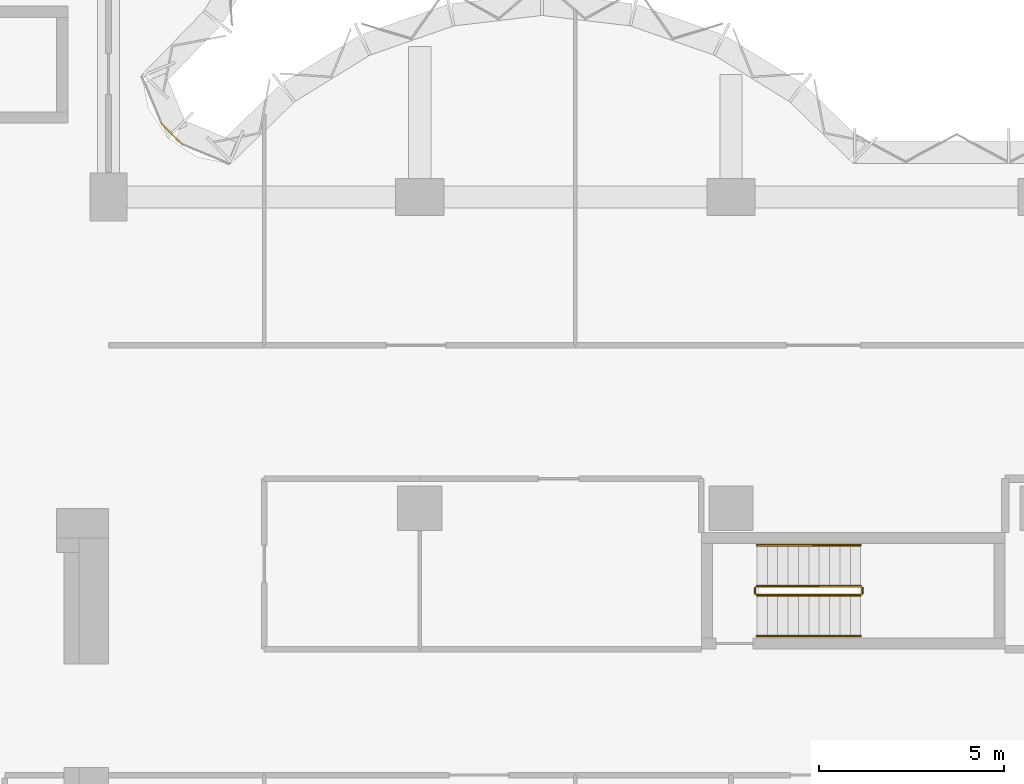
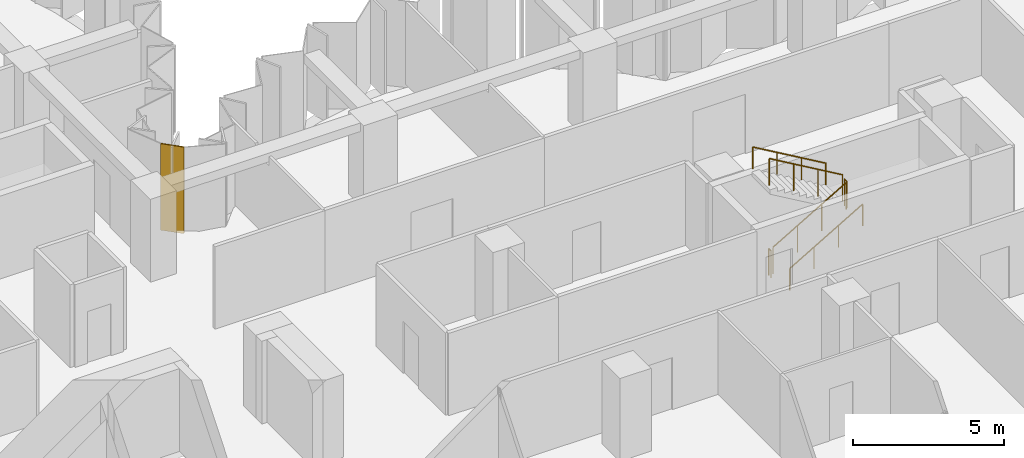
# One storey, part 13 of 13: 6 railings, 1 covering, 1 element without a shape of its own.
"""IFC4 building model written with IfcOpenShell, lengths in metres."""

from ifc_helpers import new_model, si_unit, direction, frame, origin, origin_2d, place, context, subcontext, project, spatial, polyline, circle, outline, extrude, material, layer, layer_set, type_object, element, aggregate, save


model = new_model("IFC4")

# Units and contexts
model_context = context("Model", 3, precision=1e-05, world=origin(), true_north=direction((0.0, 1.0)))
body_context = subcontext(model_context, "Body", "Model", "MODEL_VIEW")
ifc_project = project(units=[si_unit("LENGTHUNIT", "METRE"), si_unit("AREAUNIT", "SQUARE_METRE"), si_unit("VOLUMEUNIT", "CUBIC_METRE"), si_unit("PLANEANGLEUNIT", "RADIAN"), si_unit("MASSUNIT", "GRAM", prefix="KILO")], contexts=[model_context])

# Site, building, storey
site_placement = place(None, origin())
site = spatial("IfcSite", under=ifc_project, at=site_placement, CompositionType="ELEMENT")
building_placement = place(site_placement, origin())
building = spatial("IfcBuilding", under=site, at=building_placement, Name="Brevane Broadcast Tower", CompositionType="ELEMENT")
storey_placement = place(building_placement, frame((0.0, 0.0, 109.699951171875)))
storey = spatial("IfcBuildingStorey", under=building, at=storey_placement, Name="L26", CompositionType="ELEMENT", Elevation=109.699951171875)

# Railings
ifc_material_1 = material(Name="Steel S355", Category="steel")
railing_type_1 = type_object("IfcRailingType", Name="Exit stair guard", PredefinedType="GUARDRAIL", material=ifc_material_1)
railing_1_placement = place(storey_placement, frame((42.699951171875, 14.449951171875, 0.16357421875)))
element("IfcRailing", 1, at=railing_1_placement, inside=storey, type_object=railing_type_1, Name="L26 ST-4 stair guard 1", PredefinedType="GUARDRAIL", context=body_context, shape_type="SweptSolid", body=[
    extrude(circle(Radius=0.02392578125, at=origin_2d()), frame((0.0, 0.0, 1.076171875), z_axis=(0.863360870873, 0.0, 0.504586966384), x_axis=(0.0, 1.0, 0.0)), (0.0, 0.0, 1.0), 3.2431640625),
    extrude(circle(Radius=0.02099609375, at=origin_2d()), origin(), (0.0, 0.0, 1.0), 1.052001953125),
    extrude(circle(Radius=0.02099609375, at=origin_2d()), frame((0.933349609375, 0.0, 0.54541015625)), (0.0, 0.0, 1.0), 1.052001953125),
    extrude(circle(Radius=0.02099609375, at=origin_2d()), frame((1.86669921875, 0.0, 1.091064453125)), (0.0, 0.0, 1.0), 1.052001953125),
    extrude(circle(Radius=0.02099609375, at=origin_2d()), frame((2.800048828125, 0.0, 1.636474609375)), (0.0, 0.0, 1.0), 1.052001953125),
])
railing_2_placement = place(storey_placement, frame((45.550048828125, 14.5, 1.800048828125)))
element("IfcRailing", 2, at=railing_2_placement, inside=storey, type_object=railing_type_1, Name="L26 ST-4 stair guard 2", PredefinedType="GUARDRAIL", context=body_context, shape_type="SweptSolid", body=[
    extrude(circle(Radius=0.02392578125, at=origin_2d()), frame((0.0, 0.0, 1.076171875), z_axis=(0.0, 1.0, 0.0), x_axis=(-1.0, 0.0, 0.0)), (0.0, 0.0, 1.0), 0.14990234375),
    extrude(circle(Radius=0.02099609375, at=origin_2d()), origin(), (0.0, 0.0, 1.0), 1.052001953125),
    extrude(circle(Radius=0.02099609375, at=origin_2d()), frame((0.0, 0.14990234375, 0.0)), (0.0, 0.0, 1.0), 1.052001953125),
])
railing_3_placement = place(storey_placement, frame((45.5, 14.699951171875, 1.963623046875)))
element("IfcRailing", 3, at=railing_3_placement, inside=storey, type_object=railing_type_1, Name="L26 ST-4 stair guard 3", PredefinedType="GUARDRAIL", context=body_context, shape_type="SweptSolid", body=[
    extrude(circle(Radius=0.02392578125, at=origin_2d()), frame((0.0, 0.0, 1.076171875), z_axis=(-0.863360870873, 0.0, 0.504586966384), x_axis=(0.0, -1.0, 0.0)), (0.0, 0.0, 1.0), 3.2431640625),
    extrude(circle(Radius=0.02099609375, at=origin_2d()), origin(), (0.0, 0.0, 1.0), 1.052001953125),
    extrude(circle(Radius=0.02099609375, at=origin_2d()), frame((-0.933349609375, 0.0, 0.54541015625)), (0.0, 0.0, 1.0), 1.052001953125),
    extrude(circle(Radius=0.02099609375, at=origin_2d()), frame((-1.86669921875, 0.0, 1.091064453125)), (0.0, 0.0, 1.0), 1.052001953125),
    extrude(circle(Radius=0.02099609375, at=origin_2d()), frame((-2.800048828125, 0.0, 1.636474609375)), (0.0, 0.0, 1.0), 1.052001953125),
])
railing_4_placement = place(storey_placement, frame((42.64990234375, 14.5, 0.0)))
element("IfcRailing", 4, at=railing_4_placement, inside=storey, type_object=railing_type_1, Name="L26 ST-4 stair guard 4", PredefinedType="GUARDRAIL", context=body_context, shape_type="SweptSolid", body=[
    extrude(circle(Radius=0.02392578125, at=origin_2d()), frame((0.0, 0.0, 1.076171875), z_axis=(0.0, 1.0, 0.0), x_axis=(-1.0, 0.0, 0.0)), (0.0, 0.0, 1.0), 0.14990234375),
    extrude(circle(Radius=0.02099609375, at=origin_2d()), origin(), (0.0, 0.0, 1.0), 1.052001953125),
    extrude(circle(Radius=0.02099609375, at=origin_2d()), frame((0.0, 0.14990234375, 0.0)), (0.0, 0.0, 1.0), 1.052001953125),
])
railing_type_2 = type_object("IfcRailingType", Name="Exit stair handrail", PredefinedType="HANDRAIL", material=ifc_material_1)
railing_5_placement = place(storey_placement, frame((42.699951171875, 13.35009765625, 0.16357421875)))
element("IfcRailing", 5, at=railing_5_placement, inside=storey, type_object=railing_type_2, Name="L26 ST-4 stair handrail 1", PredefinedType="HANDRAIL", context=body_context, shape_type="SweptSolid", body=[
    extrude(circle(Radius=0.02392578125, at=origin_2d()), frame((0.0, 0.0, 0.8759765625), z_axis=(0.863360870873, 0.0, 0.504586966384), x_axis=(0.0, 1.0, 0.0)), (0.0, 0.0, 1.0), 3.2431640625),
    extrude(circle(Radius=0.02099609375, at=origin_2d()), origin(), (0.0, 0.0, 1.0), 0.851806640625),
    extrude(circle(Radius=0.02099609375, at=origin_2d()), frame((0.933349609375, 0.0, 0.54541015625)), (0.0, 0.0, 1.0), 0.851806640625),
    extrude(circle(Radius=0.02099609375, at=origin_2d()), frame((1.86669921875, 0.0, 1.091064453125)), (0.0, 0.0, 1.0), 0.851806640625),
    extrude(circle(Radius=0.02099609375, at=origin_2d()), frame((2.800048828125, 0.0, 1.636474609375)), (0.0, 0.0, 1.0), 0.851806640625),
])
railing_6_placement = place(storey_placement, frame((45.5, 15.800048828125, 1.963623046875)))
element("IfcRailing", 6, at=railing_6_placement, inside=storey, type_object=railing_type_2, Name="L26 ST-4 stair handrail 2", PredefinedType="HANDRAIL", context=body_context, shape_type="SweptSolid", body=[
    extrude(circle(Radius=0.02392578125, at=origin_2d()), frame((0.0, 0.0, 0.8759765625), z_axis=(-0.863360870873, 0.0, 0.504586966384), x_axis=(0.0, -1.0, 0.0)), (0.0, 0.0, 1.0), 3.2431640625),
    extrude(circle(Radius=0.02099609375, at=origin_2d()), origin(), (0.0, 0.0, 1.0), 0.851806640625),
    extrude(circle(Radius=0.02099609375, at=origin_2d()), frame((-0.933349609375, 0.0, 0.54541015625)), (0.0, 0.0, 1.0), 0.851806640625),
    extrude(circle(Radius=0.02099609375, at=origin_2d()), frame((-1.86669921875, 0.0, 1.091064453125)), (0.0, 0.0, 1.0), 0.851806640625),
    extrude(circle(Radius=0.02099609375, at=origin_2d()), frame((-2.800048828125, 0.0, 1.636474609375)), (0.0, 0.0, 1.0), 0.851806640625),
])

# Curtain wall, covering
ifc_material_2 = material(Name="Aluminium 6063-T6 bronze anodised", Category="aluminium")
curtain_wall_type = type_object("IfcCurtainWallType", Name="CW-1 curtain wall", PredefinedType="NOTDEFINED", material=ifc_material_2)
curtain_wall_placement = place(storey_placement, origin())
curtain_wall = element("IfcCurtainWall", 7, at=curtain_wall_placement, inside=storey, type_object=curtain_wall_type, Name="CW-1 typical tilted unit L26 inner corner", PredefinedType="NOTDEFINED")
ifc_material_3 = material(Name="Back-painted bronze glass shadow-box", Category="glass")
ifc_layer = layer(ifc_material_3, 0.0400390625)
ifc_layer_set = layer_set([ifc_layer], Name="Shadow-box panel 40")
covering_type = type_object("IfcCoveringType", Name="Shadow-box panel 40", PredefinedType="CLADDING", material=ifc_layer_set)
covering_placement = place(storey_placement, frame((0.0, 0.0, -0.14990234375)))
covering = element("IfcCovering", 8, at=covering_placement, type_object=covering_type, Name="Closure panel", PredefinedType="CLADDING", context=body_context, shape_type="SweptSolid", body=[
    extrude(outline(polyline([(27.17138671875, 26.60498046875), (27.2021484375, 26.635498046875), (26.635498046875, 27.2021484375), (26.60498046875, 27.17138671875), (27.17138671875, 26.60498046875)])), origin(), (0.0, 0.0, 1.0), 3.5),
])
aggregate(curtain_wall, [covering])

save(model, "model.ifc")
